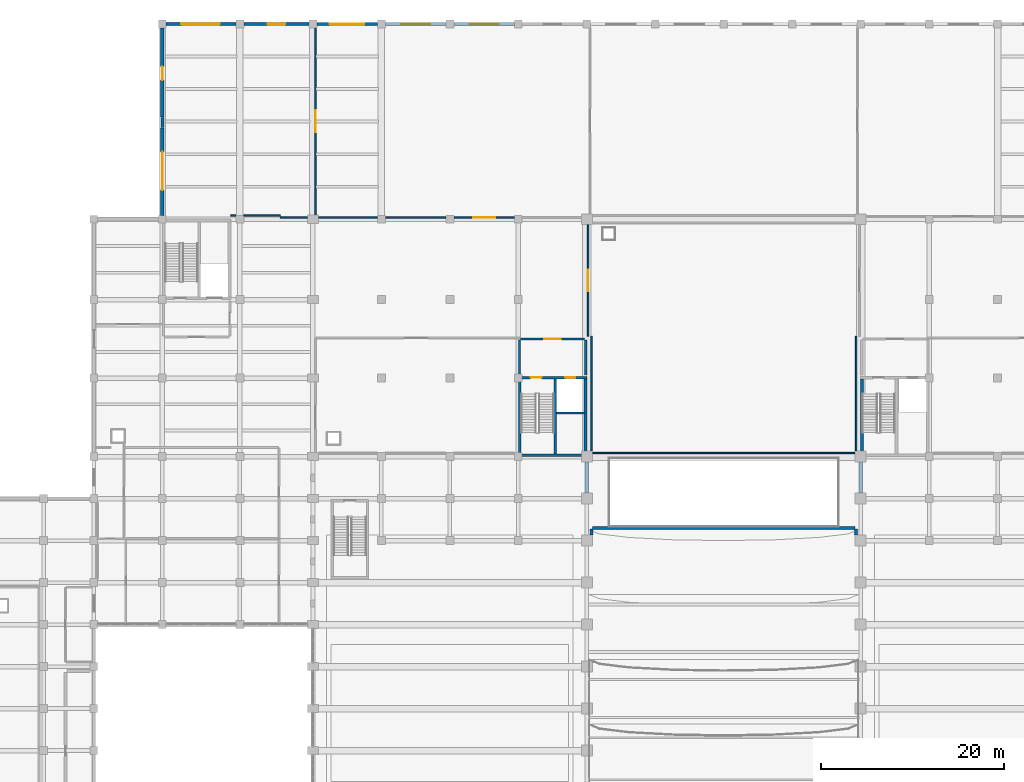
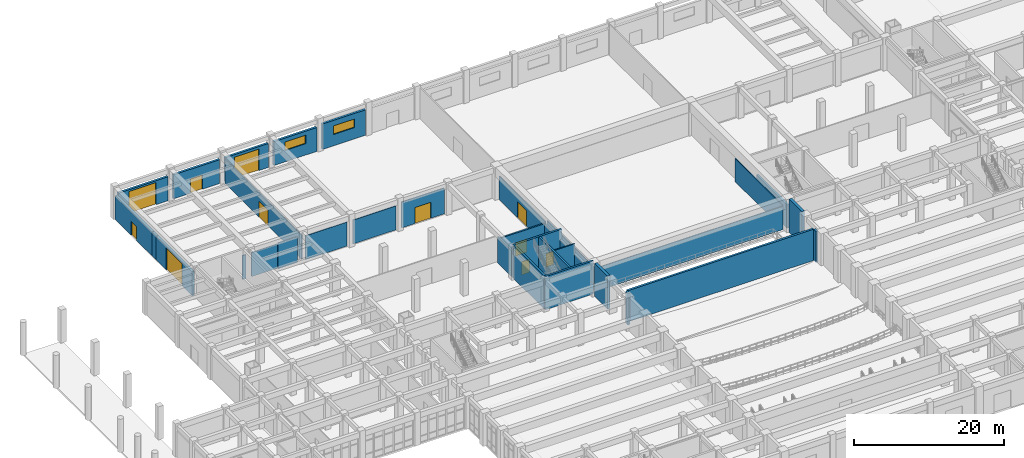
# One storey, part 66 of 84: 34 walls, 11 doors, 2 windows, 13 openings.
"""IFC4 building model written with IfcOpenShell, lengths in metres."""

from ifc_helpers import new_model, si_unit, direction, frame, frame_2d, origin, place, context, subcontext, project, spatial, rectangle, extrude, material, layer, layer_set, type_object, element, fill, save


model = new_model("IFC4")

# Units and contexts
model_context = context("Model", 3, precision=1e-05, world=origin(), true_north=direction((0.0, 1.0)))
body_context = subcontext(model_context, "Body", "Model", "MODEL_VIEW")
ifc_project = project(units=[si_unit("LENGTHUNIT", "METRE"), si_unit("AREAUNIT", "SQUARE_METRE"), si_unit("VOLUMEUNIT", "CUBIC_METRE"), si_unit("PLANEANGLEUNIT", "RADIAN"), si_unit("MASSUNIT", "GRAM", prefix="KILO")], contexts=[model_context])

# Site, building, storey
site_placement = place(None, origin())
site = spatial("IfcSite", under=ifc_project, at=site_placement, CompositionType="ELEMENT")
building_placement = place(site_placement, origin())
building = spatial("IfcBuilding", under=site, at=building_placement, Name="Muzn Square Opera House", CompositionType="ELEMENT")
storey_placement = place(building_placement, origin())
storey = spatial("IfcBuildingStorey", under=building, at=storey_placement, Name="L00", CompositionType="ELEMENT", Elevation=0.0)

# Walls
ifc_material_1 = material(Name="Acoustic gypsum stud partition", Category="gypsum")
ifc_layer_1 = layer(ifc_material_1, 0.320068359375, Name="Acoustic gypsum stud partition", Category="gypsum")
ifc_layer_set_1 = layer_set([ifc_layer_1], Name="Acoustic gypsum stud partition")
wall_type_1 = type_object("IfcWallType", Name="Acoustic Studio Double Wall 320mm", PredefinedType="PARTITIONING", material=ifc_layer_set_1)
wall_1_placement = place(storey_placement, frame((73.64501953125, 64.800048828125, 0.0), z_axis=(0.0, 0.0, 1.0), x_axis=(1.0, 0.0, 0.0)))
element("IfcWall", 1, at=wall_1_placement, inside=storey, type_object=wall_type_1, Name="Room Enclosure Partition PW-L00-0096", PredefinedType="PARTITIONING", context=body_context, shape_type="SweptSolid", body=[
    extrude(rectangle(XDim=28.7099609375, YDim=0.320068359375, at=frame_2d((14.35498046875, 0.0))), origin(), (0.0, 0.0, 1.0), 5.10009765625),
])
for number, where, z_axis, x_axis, name in (
    (2, (73.5, 64.02001953125, 0.0), (0.0, 0.0, 1.0), (0.0, 1.0, 0.0), "Room Enclosure Partition PW-L00-0097"),
    (3, (102.5, 64.02001953125, 0.0), (0.0, 0.0, 1.0), (0.0, 1.0, 0.0), "Room Enclosure Partition PW-L00-0098"),
):
    element("IfcWall", number, at=place(storey_placement, frame(where, z_axis=z_axis, x_axis=x_axis)), inside=storey, type_object=wall_type_1, Name=name, PredefinedType="PARTITIONING", context=body_context, shape_type="SweptSolid", body=[
        extrude(rectangle(XDim=0.635009765625, YDim=0.320068359375, at=frame_2d((0.3173828125, 0.0))), origin(), (0.0, 0.0, 1.0), 5.10009765625),
    ])
ifc_material_2 = material(Name="Concrete C45/55", Category="concrete")
ifc_layer_2 = layer(ifc_material_2, 0.419921875, Name="Concrete C45/55", Category="concrete")
ifc_layer_set_2 = layer_set([ifc_layer_2], Name="Concrete C45/55")
wall_type_2 = type_object("IfcWallType", Name="Auditorium Acoustic Shear Wall 420mm", PredefinedType="SHEAR", material=ifc_layer_set_2)
for number, where, z_axis, x_axis, name in (
    (4, (73.0, 68.590087890625, 0.0), (0.0, 0.0, 1.0), (0.0, 1.0, 0.0), "Auditorium Acoustic Shear Wall AUDW-L00-W10"),
    (5, (103.0, 68.590087890625, 0.0), (0.0, 0.0, 1.0), (0.0, 1.0, 0.0), "Auditorium Acoustic Shear Wall AUDW-L00-E10"),
):
    element("IfcWall", number, at=place(storey_placement, frame(where, z_axis=z_axis, x_axis=x_axis)), inside=storey, type_object=wall_type_2, Name=name, PredefinedType="SHEAR", context=body_context, shape_type="SweptSolid", body=[
        extrude(rectangle(XDim=3.419921875, YDim=0.419921875, at=frame_2d((1.7099609375, 0.0))), origin(), (0.0, 0.0, 1.0), 5.39990234375),
    ])
ifc_layer_3 = layer(ifc_material_2, 0.300048828125, Name="Concrete C45/55", Category="concrete")
ifc_layer_set_3 = layer_set([ifc_layer_3], Name="Concrete C45/55")
wall_type_3 = type_object("IfcWallType", Name="Core Shear Wall 300mm", PredefinedType="SHEAR", material=ifc_layer_set_3)
wall_2_placement = place(storey_placement, frame((65.5, 72.75, 0.0), z_axis=(0.0, 0.0, 1.0), x_axis=(1.0, 0.0, 0.0)))
element("IfcWall", 6, at=wall_2_placement, inside=storey, type_object=wall_type_3, Name="Core C1 Shear Wall SW-C1-L00-S", PredefinedType="SHEAR", context=body_context, shape_type="SweptSolid", body=[
    extrude(rectangle(XDim=7.5, YDim=0.300048828125, at=frame_2d((3.75, 0.0))), origin(), (0.0, 0.0, 1.0), 5.39990234375),
])
wall_3_placement = place(storey_placement, frame((65.64990234375, 72.89990234375, 0.0), z_axis=(0.0, 0.0, 1.0), x_axis=(0.0, 1.0, 0.0)))
element("IfcWall", 7, at=wall_3_placement, inside=storey, type_object=wall_type_3, Name="Core C1 Shear Wall SW-C1-L00-W", PredefinedType="SHEAR", context=body_context, shape_type="SweptSolid", body=[
    extrude(rectangle(XDim=8.2001953125, YDim=0.300048828125, at=frame_2d((4.10009765625, 0.0))), origin(), (0.0, 0.0, 1.0), 5.39990234375),
])
wall_4_placement = place(storey_placement, frame((72.85009765625, 72.89990234375, 0.0), z_axis=(0.0, 0.0, 1.0), x_axis=(0.0, 1.0, 0.0)))
element("IfcWall", 8, at=wall_4_placement, inside=storey, type_object=wall_type_3, Name="Core C1 Shear Wall SW-C1-L00-E", PredefinedType="SHEAR", context=body_context, shape_type="SweptSolid", body=[
    extrude(rectangle(XDim=8.2001953125, YDim=0.300048828125, at=frame_2d((4.10009765625, 0.0))), origin(), (0.0, 0.0, 1.0), 3.800048828125),
])
wall_5_placement = place(storey_placement, frame((69.550048828125, 72.89990234375, 0.0), z_axis=(0.0, 0.0, 1.0), x_axis=(0.0, 1.0, 0.0)))
element("IfcWall", 9, at=wall_5_placement, inside=storey, type_object=wall_type_3, Name="Core C1 Shear Wall SW-C1-L00-DIV", PredefinedType="SHEAR", context=body_context, shape_type="SweptSolid", body=[
    extrude(rectangle(XDim=8.2001953125, YDim=0.300048828125, at=frame_2d((4.10009765625, 0.0))), origin(), (0.0, 0.0, 1.0), 5.39990234375),
])
wall_6_placement = place(storey_placement, frame((103.14990234375, 72.89990234375, 0.0), z_axis=(0.0, 0.0, 1.0), x_axis=(0.0, 1.0, 0.0)))
element("IfcWall", 10, at=wall_6_placement, inside=storey, type_object=wall_type_3, Name="Core C2 Shear Wall SW-C2-L00-W", PredefinedType="SHEAR", context=body_context, shape_type="SweptSolid", body=[
    extrude(rectangle(XDim=8.2001953125, YDim=0.300048828125, at=frame_2d((4.10009765625, 0.0))), origin(), (0.0, 0.0, 1.0), 3.800048828125),
])

# Wall, openings, doors
wall_7_placement = place(storey_placement, frame((65.5, 81.25, 0.0), z_axis=(0.0, 0.0, 1.0), x_axis=(1.0, 0.0, 0.0)))
wall_7 = element("IfcWall", 11, at=wall_7_placement, inside=storey, type_object=wall_type_3, Name="Core C1 Front Shear Wall L00", PredefinedType="SHEAR", context=body_context, shape_type="SweptSolid", body=[
    extrude(rectangle(XDim=7.5, YDim=0.300048828125, at=frame_2d((3.75, 0.0))), origin(), (0.0, 0.0, 1.0), 5.39990234375),
])
opening_1_placement = place(wall_7_placement, frame((1.35009765625, 0.0, 0.0)))
opening_1 = element("IfcOpeningElement", 12, at=opening_1_placement, cuts=wall_7, Name="Opening DR-ST12", PredefinedType="OPENING", context=body_context, shape_type="SweptSolid", body=[
    extrude(rectangle(XDim=1.199951171875, YDim=2.14990234375, at=frame_2d((0.60009765625, 1.074951171875))), frame((0.0, 0.159912109375, 0.0), z_axis=(0.0, -1.0, 0.0), x_axis=(1.0, 0.0, 0.0)), (0.0, 0.0, 1.0), 0.320068359375),
])
opening_2_placement = place(wall_7_placement, frame((5.14990234375, 0.0, 0.0)))
opening_2 = element("IfcOpeningElement", 13, at=opening_2_placement, cuts=wall_7, Name="Opening LD-01", PredefinedType="OPENING", context=body_context, shape_type="SweptSolid", body=[
    extrude(rectangle(XDim=1.10009765625, YDim=2.14990234375, at=frame_2d((0.550048828125, 1.074951171875))), frame((0.0, 0.159912109375, 0.0), z_axis=(0.0, -1.0, 0.0), x_axis=(1.0, 0.0, 0.0)), (0.0, 0.0, 1.0), 0.320068359375),
])
ifc_material_3 = material(Name="Galvanised painted steel leaf", Category="metal")
door_type_1 = type_object("IfcDoorType", Name="Core Stair Fire Door 1200x2150", OperationType="NOTDEFINED", PredefinedType="DOOR", material=ifc_material_3)
door_1_placement = place(opening_1_placement, origin())
door_1 = element("IfcDoor", 14, at=door_1_placement, inside=storey, type_object=door_type_1, Name="Core C1 Stair Door L00", OperationType="SINGLE_SWING_RIGHT", OverallHeight=2.14990234375, OverallWidth=1.199951171875, PredefinedType="DOOR", context=body_context, shape_type="SweptSolid", body=[
    extrude(rectangle(XDim=1.199951171875, YDim=2.14990234375, at=frame_2d((0.60009765625, 1.074951171875))), frame((0.0, 0.02490234375, 0.0), z_axis=(0.0, -1.0, 0.0), x_axis=(1.0, 0.0, 0.0)), (0.0, 0.0, 1.0), 0.050048828125),
])
fill(opening_1, door_1)
ifc_material_4 = material(Name="Brushed stainless steel", Category="metal")
door_type_2 = type_object("IfcDoorType", Name="Lift Landing Sliding Door 1100x2150", OperationType="SLIDING_TO_LEFT", PredefinedType="DOOR", material=ifc_material_4)
door_2_placement = place(opening_2_placement, origin())
door_2 = element("IfcDoor", 15, at=door_2_placement, inside=storey, type_object=door_type_2, Name="Lift FFL-1 Sliding Landing Door L00", OperationType="SLIDING_TO_LEFT", OverallHeight=2.14990234375, OverallWidth=1.10009765625, PredefinedType="DOOR", context=body_context, shape_type="SweptSolid", body=[
    extrude(rectangle(XDim=1.10009765625, YDim=2.14990234375, at=frame_2d((0.550048828125, 1.074951171875))), frame((0.0, 0.02490234375, 0.0), z_axis=(0.0, -1.0, 0.0), x_axis=(1.0, 0.0, 0.0)), (0.0, 0.0, 1.0), 0.050048828125),
])
fill(opening_2, door_2)

# Wall, opening, door
ifc_material_5 = material(Name="Concrete C40/50", Category="concrete")
ifc_layer_4 = layer(ifc_material_5, 0.340087890625, Name="Concrete C40/50", Category="concrete")
ifc_layer_set_4 = layer_set([ifc_layer_4], Name="Concrete C40/50")
wall_type_4 = type_object("IfcWallType", Name="Exterior Insulated Spandrel Wall 340mm", PredefinedType="SOLIDWALL", material=ifc_layer_set_4)
wall_8_placement = place(storey_placement, frame((26.925048828125, 120.0, 0.0), z_axis=(0.0, 0.0, 1.0), x_axis=(1.0, 0.0, 0.0)))
wall_8 = element("IfcWall", 16, at=wall_8_placement, inside=storey, type_object=wall_type_4, Name="Exterior Facade Wall EW-L00-029", PredefinedType="SOLIDWALL", context=body_context, shape_type="SweptSolid", body=[
    extrude(rectangle(XDim=7.64990234375, YDim=0.340087890625, at=frame_2d((3.824951171875, 0.0))), origin(), (0.0, 0.0, 1.0), 3.89990234375),
])
opening_3_placement = place(wall_8_placement, frame((1.655029296875, 0.0, 0.0)))
opening_3 = element("IfcOpeningElement", 17, at=opening_3_placement, cuts=wall_8, Name="Opening DR-SH42", PredefinedType="OPENING", context=body_context, shape_type="SweptSolid", body=[
    extrude(rectangle(XDim=4.199951171875, YDim=3.60009765625, at=frame_2d((2.10009765625, 1.800048828125))), frame((0.0, 0.179931640625, 0.0), z_axis=(0.0, -1.0, 0.0), x_axis=(1.0, 0.0, 0.0)), (0.0, 0.0, 1.0), 0.360107421875),
])
door_type_3 = type_object("IfcDoorType", Name="Loading Dock Roller Shutter 4200x3600", OperationType="ROLLINGUP", PredefinedType="DOOR", material=ifc_material_3)
door_3_placement = place(opening_3_placement, origin())
door_3 = element("IfcDoor", 18, at=door_3_placement, inside=storey, type_object=door_type_3, Name="Loading Dock Roller Shutter SH-01", OperationType="ROLLINGUP", OverallHeight=3.60009765625, OverallWidth=4.199951171875, PredefinedType="DOOR", context=body_context, shape_type="SweptSolid", body=[
    extrude(rectangle(XDim=4.199951171875, YDim=3.60009765625, at=frame_2d((2.10009765625, 1.800048828125))), frame((0.0, 0.02490234375, 0.0), z_axis=(0.0, -1.0, 0.0), x_axis=(1.0, 0.0, 0.0)), (0.0, 0.0, 1.0), 0.050048828125),
])
fill(opening_3, door_3)

wall_9_placement = place(storey_placement, frame((35.425048828125, 120.0, 0.0), z_axis=(0.0, 0.0, 1.0), x_axis=(1.0, 0.0, 0.0)))
wall_9 = element("IfcWall", 19, at=wall_9_placement, inside=storey, type_object=wall_type_4, Name="Exterior Facade Wall EW-L00-030", PredefinedType="SOLIDWALL", context=body_context, shape_type="SweptSolid", body=[
    extrude(rectangle(XDim=7.14990234375, YDim=0.340087890625, at=frame_2d((3.574951171875, 0.0))), origin(), (0.0, 0.0, 1.0), 3.89990234375),
])
opening_4_placement = place(wall_9_placement, frame((2.625, 0.0, 0.0)))
opening_4 = element("IfcOpeningElement", 20, at=opening_4_placement, cuts=wall_9, Name="Opening DR-EX19", PredefinedType="OPENING", context=body_context, shape_type="SweptSolid", body=[
    extrude(rectangle(XDim=1.89990234375, YDim=2.35009765625, at=frame_2d((0.949951171875, 1.175048828125))), frame((0.0, 0.179931640625, 0.0), z_axis=(0.0, -1.0, 0.0), x_axis=(1.0, 0.0, 0.0)), (0.0, 0.0, 1.0), 0.360107421875),
])
ifc_material_6 = material(Name="Anodised bronze aluminium", Category="metal")
door_type_4 = type_object("IfcDoorType", Name="Pedestrian Final Exit Door 1900x2350", OperationType="DOUBLE_DOOR_SINGLE_SWING", PredefinedType="DOOR", material=ifc_material_6)
door_4_placement = place(opening_4_placement, origin())
door_4 = element("IfcDoor", 21, at=door_4_placement, inside=storey, type_object=door_type_4, Name="North Backstage Pedestrian Final Exit Door E-N01", OperationType="DOUBLE_DOOR_SINGLE_SWING", OverallHeight=2.35009765625, OverallWidth=1.89990234375, PredefinedType="DOOR", context=body_context, shape_type="SweptSolid", body=[
    extrude(rectangle(XDim=1.89990234375, YDim=2.35009765625, at=frame_2d((0.949951171875, 1.175048828125))), frame((0.0, 0.02490234375, 0.0), z_axis=(0.0, -1.0, 0.0), x_axis=(1.0, 0.0, 0.0)), (0.0, 0.0, 1.0), 0.050048828125),
])
fill(opening_4, door_4)

wall_10_placement = place(storey_placement, frame((43.425048828125, 120.0, 0.0), z_axis=(0.0, 0.0, 1.0), x_axis=(1.0, 0.0, 0.0)))
wall_10 = element("IfcWall", 22, at=wall_10_placement, inside=storey, type_object=wall_type_4, Name="Exterior Facade Wall EW-L00-031", PredefinedType="SOLIDWALL", context=body_context, shape_type="SweptSolid", body=[
    extrude(rectangle(XDim=6.64990234375, YDim=0.340087890625, at=frame_2d((3.324951171875, 0.0))), origin(), (0.0, 0.0, 1.0), 3.89990234375),
])
opening_5_placement = place(wall_10_placement, frame((1.405029296875, 0.0, 0.0)))
opening_5 = element("IfcOpeningElement", 23, at=opening_5_placement, cuts=wall_10, Name="Opening DR-SH38", PredefinedType="OPENING", context=body_context, shape_type="SweptSolid", body=[
    extrude(rectangle(XDim=3.800048828125, YDim=3.5, at=frame_2d((1.89990234375, 1.75))), frame((0.0, 0.179931640625, 0.0), z_axis=(0.0, -1.0, 0.0), x_axis=(1.0, 0.0, 0.0)), (0.0, 0.0, 1.0), 0.360107421875),
])
door_type_5 = type_object("IfcDoorType", Name="Scenery Bay Roller Shutter 3800x3500", OperationType="ROLLINGUP", PredefinedType="DOOR", material=ifc_material_3)
door_5_placement = place(opening_5_placement, origin())
door_5 = element("IfcDoor", 24, at=door_5_placement, inside=storey, type_object=door_type_5, Name="Scenery Workshop Roller Shutter SH-02", OperationType="ROLLINGUP", OverallHeight=3.5, OverallWidth=3.800048828125, PredefinedType="DOOR", context=body_context, shape_type="SweptSolid", body=[
    extrude(rectangle(XDim=3.800048828125, YDim=3.5, at=frame_2d((1.89990234375, 1.75))), frame((0.0, 0.02490234375, 0.0), z_axis=(0.0, -1.0, 0.0), x_axis=(1.0, 0.0, 0.0)), (0.0, 0.0, 1.0), 0.050048828125),
])
fill(opening_5, door_5)

# Wall, opening, window
wall_11_placement = place(storey_placement, frame((50.925048828125, 120.0, 0.0), z_axis=(0.0, 0.0, 1.0), x_axis=(1.0, 0.0, 0.0)))
wall_11 = element("IfcWall", 25, at=wall_11_placement, inside=storey, type_object=wall_type_4, Name="Exterior Facade Wall EW-L00-032", PredefinedType="SOLIDWALL", context=body_context, shape_type="SweptSolid", body=[
    extrude(rectangle(XDim=6.64990234375, YDim=0.340087890625, at=frame_2d((3.324951171875, 0.0))), origin(), (0.0, 0.0, 1.0), 3.89990234375),
])
opening_6_placement = place(wall_11_placement, frame((1.72509765625, 0.0, 1.85009765625)))
opening_6 = element("IfcOpeningElement", 26, at=opening_6_placement, cuts=wall_11, Name="Opening WN-S3214", PredefinedType="OPENING", context=body_context, shape_type="SweptSolid", body=[
    extrude(rectangle(XDim=3.199951171875, YDim=1.39990234375, at=frame_2d((1.60009765625, 0.699951171875))), frame((0.0, 0.179931640625, 0.0), z_axis=(0.0, -1.0, 0.0), x_axis=(1.0, 0.0, 0.0)), (0.0, 0.0, 1.0), 0.360107421875),
])
ifc_material_7 = material(Name="Low-E laminated acoustic double glazing", Category="glass")
window_type = type_object("IfcWindowType", Name="Scenery Clerestory Window 3200x1400", PartitioningType="TRIPLE_PANEL_VERTICAL", PredefinedType="WINDOW", material=ifc_material_7)
window_1_placement = place(opening_6_placement, origin())
window_1 = element("IfcWindow", 27, at=window_1_placement, inside=storey, type_object=window_type, Name="Scenery Clerestory Window 3200x1400 EW-L00-032-WN01", OverallHeight=1.39990234375, OverallWidth=3.199951171875, PartitioningType="SINGLE_PANEL", PredefinedType="WINDOW", context=body_context, shape_type="SweptSolid", body=[
    extrude(rectangle(XDim=3.199951171875, YDim=1.39990234375, at=frame_2d((1.60009765625, 0.699951171875))), frame((0.0, 0.030029296875, 0.0), z_axis=(0.0, -1.0, 0.0), x_axis=(1.0, 0.0, 0.0)), (0.0, 0.0, 1.0), 0.06005859375),
])
fill(opening_6, window_1)

wall_12_placement = place(storey_placement, frame((58.425048828125, 120.0, 0.0), z_axis=(0.0, 0.0, 1.0), x_axis=(1.0, 0.0, 0.0)))
wall_12 = element("IfcWall", 28, at=wall_12_placement, inside=storey, type_object=wall_type_4, Name="Exterior Facade Wall EW-L00-033", PredefinedType="SOLIDWALL", context=body_context, shape_type="SweptSolid", body=[
    extrude(rectangle(XDim=6.64990234375, YDim=0.340087890625, at=frame_2d((3.324951171875, 0.0))), origin(), (0.0, 0.0, 1.0), 4.14990234375),
])
opening_7_placement = place(wall_12_placement, frame((1.72509765625, 0.0, 1.85009765625)))
opening_7 = element("IfcOpeningElement", 29, at=opening_7_placement, cuts=wall_12, Name="Opening WN-S3214", PredefinedType="OPENING", context=body_context, shape_type="SweptSolid", body=[
    extrude(rectangle(XDim=3.199951171875, YDim=1.39990234375, at=frame_2d((1.60009765625, 0.699951171875))), frame((0.0, 0.179931640625, 0.0), z_axis=(0.0, -1.0, 0.0), x_axis=(1.0, 0.0, 0.0)), (0.0, 0.0, 1.0), 0.360107421875),
])
window_2_placement = place(opening_7_placement, origin())
window_2 = element("IfcWindow", 30, at=window_2_placement, inside=storey, type_object=window_type, Name="Scenery Clerestory Window 3200x1400 EW-L00-033-WN01", OverallHeight=1.39990234375, OverallWidth=3.199951171875, PartitioningType="SINGLE_PANEL", PredefinedType="WINDOW", context=body_context, shape_type="SweptSolid", body=[
    extrude(rectangle(XDim=3.199951171875, YDim=1.39990234375, at=frame_2d((1.60009765625, 0.699951171875))), frame((0.0, 0.030029296875, 0.0), z_axis=(0.0, -1.0, 0.0), x_axis=(1.0, 0.0, 0.0)), (0.0, 0.0, 1.0), 0.06005859375),
])
fill(opening_7, window_2)

# Wall
wall_13_placement = place(storey_placement, frame((26.5, 108.639892578125, 0.0), z_axis=(0.0, 0.0, 1.0), x_axis=(0.0, 1.0, 0.0)))
element("IfcWall", 31, at=wall_13_placement, inside=storey, type_object=wall_type_4, Name="Exterior Facade Wall EW-L00-116", PredefinedType="SOLIDWALL", context=body_context, shape_type="SweptSolid", body=[
    extrude(rectangle(XDim=1.1201171875, YDim=0.340087890625, at=frame_2d((0.56005859375, 0.0))), origin(), (0.0, 0.0, 1.0), 3.89990234375),
])

# Wall, opening, door
ifc_layer_5 = layer(ifc_material_5, 0.3798828125, Name="Concrete C40/50", Category="concrete")
ifc_layer_set_5 = layer_set([ifc_layer_5], Name="Concrete C40/50")
wall_type_5 = type_object("IfcWallType", Name="Exterior Limestone Wall 380mm", PredefinedType="SOLIDWALL", material=ifc_layer_set_5)
wall_14_placement = place(storey_placement, frame((26.5, 99.02490234375, 0.0), z_axis=(0.0, 0.0, 1.0), x_axis=(0.0, 1.0, 0.0)))
wall_14 = element("IfcWall", 32, at=wall_14_placement, inside=storey, type_object=wall_type_5, Name="Exterior Facade Wall EW-L00-071", PredefinedType="SOLIDWALL", context=body_context, shape_type="SweptSolid", body=[
    extrude(rectangle(XDim=9.59521484375, YDim=0.3798828125, at=frame_2d((4.797607421875, 0.0))), origin(), (0.0, 0.0, 1.0), 3.89990234375),
])
opening_8_placement = place(wall_14_placement, frame((2.7548828125, 0.0, 0.0)))
opening_8 = element("IfcOpeningElement", 33, at=opening_8_placement, cuts=wall_14, Name="Opening DR-SH42", PredefinedType="OPENING", context=body_context, shape_type="SweptSolid", body=[
    extrude(rectangle(XDim=4.199951171875, YDim=3.60009765625, at=frame_2d((2.10009765625, 1.800048828125))), frame((0.0, 0.199951171875, 0.0), z_axis=(0.0, -1.0, 0.0), x_axis=(1.0, 0.0, 0.0)), (0.0, 0.0, 1.0), 0.39990234375),
])
door_6_placement = place(opening_8_placement, origin())
door_6 = element("IfcDoor", 34, at=door_6_placement, inside=storey, type_object=door_type_3, Name="Loading Dock Roller Shutter SH-03", OperationType="ROLLINGUP", OverallHeight=3.60009765625, OverallWidth=4.199951171875, PredefinedType="DOOR", context=body_context, shape_type="SweptSolid", body=[
    extrude(rectangle(XDim=4.199951171875, YDim=3.60009765625, at=frame_2d((2.10009765625, 1.800048828125))), frame((0.0, 0.02490234375, 0.0), z_axis=(0.0, -1.0, 0.0), x_axis=(1.0, 0.0, 0.0)), (0.0, 0.0, 1.0), 0.050048828125),
])
fill(opening_8, door_6)

wall_15_placement = place(storey_placement, frame((26.5, 109.780029296875, 0.0), z_axis=(0.0, 0.0, 1.0), x_axis=(0.0, 1.0, 0.0)))
wall_15 = element("IfcWall", 35, at=wall_15_placement, inside=storey, type_object=wall_type_5, Name="Exterior Facade Wall EW-L00-072", PredefinedType="SOLIDWALL", context=body_context, shape_type="SweptSolid", body=[
    extrude(rectangle(XDim=9.794921875, YDim=0.3798828125, at=frame_2d((4.8974609375, 0.0))), origin(), (0.0, 0.0, 1.0), 3.89990234375),
])
opening_9_placement = place(wall_15_placement, frame((4.050048828125, 0.0, 0.0)))
opening_9 = element("IfcOpeningElement", 36, at=opening_9_placement, cuts=wall_15, Name="Opening DR-EX15", PredefinedType="OPENING", context=body_context, shape_type="SweptSolid", body=[
    extrude(rectangle(XDim=1.5, YDim=2.25, at=frame_2d((0.75, 1.125))), frame((0.0, 0.199951171875, 0.0), z_axis=(0.0, -1.0, 0.0), x_axis=(1.0, 0.0, 0.0)), (0.0, 0.0, 1.0), 0.39990234375),
])
door_type_6 = type_object("IfcDoorType", Name="Backstage Pedestrian Exit Door 1500x2250", OperationType="NOTDEFINED", PredefinedType="DOOR", material=ifc_material_6)
door_7_placement = place(opening_9_placement, origin())
door_7 = element("IfcDoor", 37, at=door_7_placement, inside=storey, type_object=door_type_6, Name="Service Yard Pedestrian Exit Door E-YD01", OperationType="SINGLE_SWING_RIGHT", OverallHeight=2.25, OverallWidth=1.5, PredefinedType="DOOR", context=body_context, shape_type="SweptSolid", body=[
    extrude(rectangle(XDim=1.5, YDim=2.25, at=frame_2d((0.75, 1.125))), frame((0.0, 0.02490234375, 0.0), z_axis=(0.0, -1.0, 0.0), x_axis=(1.0, 0.0, 0.0)), (0.0, 0.0, 1.0), 0.050048828125),
])
fill(opening_9, door_7)

ifc_layer_6 = layer(ifc_material_5, 0.239990234375, Name="Concrete C40/50", Category="concrete")
ifc_layer_set_6 = layer_set([ifc_layer_6], Name="Concrete C40/50")
wall_type_6 = type_object("IfcWallType", Name="Firefighting Lobby Wall 240mm", PredefinedType="SOLIDWALL", material=ifc_layer_set_6)
wall_16_placement = place(storey_placement, frame((65.739990234375, 85.47998046875, 0.0), z_axis=(0.0, 0.0, 1.0), x_axis=(1.0, 0.0, 0.0)))
wall_16 = element("IfcWall", 38, at=wall_16_placement, inside=storey, type_object=wall_type_6, Name="Lobby C1 Enclosure Wall L00", PredefinedType="SOLIDWALL", context=body_context, shape_type="SweptSolid", body=[
    extrude(rectangle(XDim=7.02001953125, YDim=0.239990234375, at=frame_2d((3.510009765625, 0.0))), origin(), (0.0, 0.0, 1.0), 3.780029296875),
])
opening_10_placement = place(wall_16_placement, frame((2.610107421875, 0.0, 0.0)))
opening_10 = element("IfcOpeningElement", 39, at=opening_10_placement, cuts=wall_16, Name="Opening DR-FL18", PredefinedType="OPENING", context=body_context, shape_type="SweptSolid", body=[
    extrude(rectangle(XDim=1.800048828125, YDim=2.179931640625, at=frame_2d((0.89990234375, 1.08984375))), frame((0.0, 0.1298828125, 0.0), z_axis=(0.0, -1.0, 0.0), x_axis=(1.0, 0.0, 0.0)), (0.0, 0.0, 1.0), 0.260009765625),
])
door_type_7 = type_object("IfcDoorType", Name="Firefighting Lobby Double Door 1800x2180", OperationType="DOUBLE_DOOR_SINGLE_SWING", PredefinedType="DOOR", material=ifc_material_3)
door_8_placement = place(opening_10_placement, origin())
door_8 = element("IfcDoor", 40, at=door_8_placement, inside=storey, type_object=door_type_7, Name="Lobby C1 Fire Door L00", OperationType="DOUBLE_DOOR_SINGLE_SWING", OverallHeight=2.179931640625, OverallWidth=1.800048828125, PredefinedType="DOOR", context=body_context, shape_type="SweptSolid", body=[
    extrude(rectangle(XDim=1.800048828125, YDim=2.179931640625, at=frame_2d((0.89990234375, 1.08984375))), frame((0.0, 0.02490234375, 0.0), z_axis=(0.0, -1.0, 0.0), x_axis=(1.0, 0.0, 0.0)), (0.0, 0.0, 1.0), 0.050048828125),
])
fill(opening_10, door_8)

# Walls
wall_17_placement = place(storey_placement, frame((65.6201171875, 81.550048828125, 0.0), z_axis=(0.0, 0.0, 1.0), x_axis=(0.0, 1.0, 0.0)))
element("IfcWall", 41, at=wall_17_placement, inside=storey, type_object=wall_type_6, Name="Lobby C1 Side Wall W L00", PredefinedType="SOLIDWALL", context=body_context, shape_type="SweptSolid", body=[
    extrude(rectangle(XDim=3.81005859375, YDim=0.239990234375, at=frame_2d((1.905029296875, 0.0))), origin(), (0.0, 0.0, 1.0), 4.199951171875),
])
wall_18_placement = place(storey_placement, frame((72.8798828125, 81.550048828125, 0.0), z_axis=(0.0, 0.0, 1.0), x_axis=(0.0, 1.0, 0.0)))
element("IfcWall", 42, at=wall_18_placement, inside=storey, type_object=wall_type_6, Name="Lobby C1 Side Wall E L00", PredefinedType="SOLIDWALL", context=body_context, shape_type="SweptSolid", body=[
    extrude(rectangle(XDim=3.81005859375, YDim=0.239990234375, at=frame_2d((1.905029296875, 0.0))), origin(), (0.0, 0.0, 1.0), 3.780029296875),
])
ifc_layer_7 = layer(ifc_material_5, 0.219970703125, Name="Concrete C40/50", Category="concrete")
ifc_layer_set_7 = layer_set([ifc_layer_7], Name="Concrete C40/50")
wall_type_7 = type_object("IfcWallType", Name="Lift Lobby Wall 220mm", PredefinedType="SOLIDWALL", material=ifc_layer_set_7)
wall_19_placement = place(storey_placement, frame((69.699951171875, 77.3798828125, 0.0), z_axis=(0.0, 0.0, 1.0), x_axis=(1.0, 0.0, 0.0)))
element("IfcWall", 43, at=wall_19_placement, inside=storey, type_object=wall_type_7, Name="Core C1 Lift Shaft South Wall L00", PredefinedType="SOLIDWALL", context=body_context, shape_type="SweptSolid", body=[
    extrude(rectangle(XDim=3.1201171875, YDim=0.219970703125, at=frame_2d((1.56005859375, 0.0))), origin(), (0.0, 0.0, 1.0), 5.39990234375),
])

# Wall, opening, door
ifc_layer_8 = layer(ifc_material_1, 0.14990234375, Name="Acoustic gypsum stud partition", Category="gypsum")
ifc_layer_set_8 = layer_set([ifc_layer_8], Name="Acoustic gypsum stud partition")
wall_type_8 = type_object("IfcWallType", Name="Office Acoustic Partition 150mm", PredefinedType="PARTITIONING", material=ifc_layer_set_8)
wall_20_placement = place(storey_placement, frame((73.14990234375, 85.800048828125, 0.0), z_axis=(0.0, 0.0, 1.0), x_axis=(0.0, 1.0, 0.0)))
wall_20 = element("IfcWall", 44, at=wall_20_placement, inside=storey, type_object=wall_type_8, Name="Interior Partition PW-L00-0039", PredefinedType="PARTITIONING", context=body_context, shape_type="SweptSolid", body=[
    extrude(rectangle(XDim=12.179931640625, YDim=0.14990234375, at=frame_2d((6.08984375, 0.0))), origin(), (0.0, 0.0, 1.0), 3.780029296875),
])
opening_11_placement = place(wall_20_placement, frame((4.889892578125, 0.0, 0.0)))
opening_11 = element("IfcOpeningElement", 45, at=opening_11_placement, cuts=wall_20, Name="Opening DR-SC24", PredefinedType="OPENING", context=body_context, shape_type="SweptSolid", body=[
    extrude(rectangle(XDim=2.39990234375, YDim=2.60009765625, at=frame_2d((1.199951171875, 1.300048828125))), frame((0.0, 0.0849609375, 0.0), z_axis=(0.0, -1.0, 0.0), x_axis=(1.0, 0.0, 0.0)), (0.0, 0.0, 1.0), 0.169921875),
])
door_type_8 = type_object("IfcDoorType", Name="Stage Scenery Double Door 2400x2600", OperationType="DOUBLE_DOOR_SINGLE_SWING", PredefinedType="DOOR", material=ifc_material_3)
door_9_placement = place(opening_11_placement, origin())
door_9 = element("IfcDoor", 46, at=door_9_placement, inside=storey, type_object=door_type_8, Name="Main Stage Door DR-L00-0013", OperationType="DOUBLE_DOOR_SINGLE_SWING", OverallHeight=2.60009765625, OverallWidth=2.39990234375, PredefinedType="DOOR", context=body_context, shape_type="SweptSolid", body=[
    extrude(rectangle(XDim=2.39990234375, YDim=2.60009765625, at=frame_2d((1.199951171875, 1.300048828125))), frame((0.0, 0.02490234375, 0.0), z_axis=(0.0, -1.0, 0.0), x_axis=(1.0, 0.0, 0.0)), (0.0, 0.0, 1.0), 0.050048828125),
])
fill(opening_11, door_9)

# Walls
wall_21_placement = place(storey_placement, frame((39.39990234375, 98.800048828125, 0.0), z_axis=(0.0, 0.0, 1.0), x_axis=(1.0, 0.0, 0.0)))
element("IfcWall", 47, at=wall_21_placement, inside=storey, type_object=wall_type_8, Name="Interior Partition PW-L00-0056", PredefinedType="PARTITIONING", context=body_context, shape_type="SweptSolid", body=[
    extrude(rectangle(XDim=2.97998046875, YDim=0.14990234375, at=frame_2d((1.489990234375, 0.0))), origin(), (0.0, 0.0, 1.0), 4.199951171875),
])
wall_22_placement = place(storey_placement, frame((73.6201171875, 73.0, 0.0), z_axis=(0.0, 0.0, 1.0), x_axis=(1.0, 0.0, 0.0)))
element("IfcWall", 48, at=wall_22_placement, inside=storey, type_object=wall_type_8, Name="Room Enclosure Partition PW-L00-0099", PredefinedType="PARTITIONING", context=body_context, shape_type="SweptSolid", body=[
    extrude(rectangle(XDim=28.759765625, YDim=0.14990234375, at=frame_2d((14.3798828125, 0.0))), origin(), (0.0, 0.0, 1.0), 3.780029296875),
])
for number, where, z_axis, x_axis, name in (
    (49, (73.5, 73.219970703125, 0.0), (0.0, 0.0, 1.0), (0.0, 1.0, 0.0), "Room Enclosure Partition PW-L00-0101"),
    (50, (102.5, 73.219970703125, 0.0), (0.0, 0.0, 1.0), (0.0, 1.0, 0.0), "Room Enclosure Partition PW-L00-0102"),
):
    element("IfcWall", number, at=place(storey_placement, frame(where, z_axis=z_axis, x_axis=x_axis)), inside=storey, type_object=wall_type_8, Name=name, PredefinedType="PARTITIONING", context=body_context, shape_type="SweptSolid", body=[
        extrude(rectangle(XDim=12.580078125, YDim=0.14990234375, at=frame_2d((6.2900390625, 0.0))), origin(), (0.0, 0.0, 1.0), 3.780029296875),
    ])
wall_23_placement = place(storey_placement, frame((34.0, 99.0, 0.0), z_axis=(0.0, 0.0, 1.0), x_axis=(1.0, 0.0, 0.0)))
element("IfcWall", 51, at=wall_23_placement, inside=storey, type_object=wall_type_8, Name="Room Enclosure Partition PW-L00-0113", PredefinedType="PARTITIONING", context=body_context, shape_type="SweptSolid", body=[
    extrude(rectangle(XDim=0.554931640625, YDim=0.14990234375, at=frame_2d((0.27734375, 0.0))), origin(), (0.0, 0.0, 1.0), 3.89990234375),
])
wall_24_placement = place(storey_placement, frame((35.445068359375, 99.0, 0.0), z_axis=(0.0, 0.0, 1.0), x_axis=(1.0, 0.0, 0.0)))
element("IfcWall", 52, at=wall_24_placement, inside=storey, type_object=wall_type_8, Name="Room Enclosure Partition PW-L00-0114", PredefinedType="PARTITIONING", context=body_context, shape_type="SweptSolid", body=[
    extrude(rectangle(XDim=3.954833984375, YDim=0.14990234375, at=frame_2d((1.9775390625, 0.0))), origin(), (0.0, 0.0, 1.0), 3.89990234375),
])

# Wall, opening, door
ifc_layer_9 = layer(ifc_material_1, 0.159912109375, Name="Acoustic gypsum stud partition", Category="gypsum")
ifc_layer_set_9 = layer_set([ifc_layer_9], Name="Acoustic gypsum stud partition")
wall_type_9 = type_object("IfcWallType", Name="Workshop Rated Partition 160mm", PredefinedType="PARTITIONING", material=ifc_layer_set_9)
wall_25_placement = place(storey_placement, frame((43.300048828125, 99.070068359375, 0.0), z_axis=(0.0, 0.0, 1.0), x_axis=(0.0, 1.0, 0.0)))
wall_25 = element("IfcWall", 53, at=wall_25_placement, inside=storey, type_object=wall_type_9, Name="Interior Partition PW-L00-0047", PredefinedType="PARTITIONING", context=body_context, shape_type="SweptSolid", body=[
    extrude(rectangle(XDim=20.48486328125, YDim=0.159912109375, at=frame_2d((10.242431640625, 0.0))), origin(), (0.0, 0.0, 1.0), 3.89990234375),
])
opening_12_placement = place(wall_25_placement, frame((9.04248046875, 0.0, 0.0)))
opening_12 = element("IfcOpeningElement", 54, at=opening_12_placement, cuts=wall_25, Name="Opening DR-SC24", PredefinedType="OPENING", context=body_context, shape_type="SweptSolid", body=[
    extrude(rectangle(XDim=2.39990234375, YDim=2.60009765625, at=frame_2d((1.199951171875, 1.300048828125))), frame((0.0, 0.08984375, 0.0), z_axis=(0.0, -1.0, 0.0), x_axis=(1.0, 0.0, 0.0)), (0.0, 0.0, 1.0), 0.179931640625),
])
door_10_placement = place(opening_12_placement, origin())
door_10 = element("IfcDoor", 55, at=door_10_placement, inside=storey, type_object=door_type_8, Name="Scenery Assembly Workshop Door DR-L00-0020", OperationType="DOUBLE_DOOR_SINGLE_SWING", OverallHeight=2.60009765625, OverallWidth=2.39990234375, PredefinedType="DOOR", context=body_context, shape_type="SweptSolid", body=[
    extrude(rectangle(XDim=2.39990234375, YDim=2.60009765625, at=frame_2d((1.199951171875, 1.300048828125))), frame((0.0, 0.02490234375, 0.0), z_axis=(0.0, -1.0, 0.0), x_axis=(1.0, 0.0, 0.0)), (0.0, 0.0, 1.0), 0.050048828125),
])
fill(opening_12, door_10)

wall_26_placement = place(storey_placement, frame((58.445068359375, 98.800048828125, 0.0), z_axis=(0.0, 0.0, 1.0), x_axis=(1.0, 0.0, 0.0)))
wall_26 = element("IfcWall", 56, at=wall_26_placement, inside=storey, type_object=wall_type_9, Name="Interior Partition PW-L00-0048", PredefinedType="PARTITIONING", context=body_context, shape_type="SweptSolid", body=[
    extrude(rectangle(XDim=6.60986328125, YDim=0.159912109375, at=frame_2d((3.304931640625, 0.0))), origin(), (0.0, 0.0, 1.0), 4.199951171875),
])
opening_13_placement = place(wall_26_placement, frame((2.10498046875, 0.0, 0.0)))
opening_13 = element("IfcOpeningElement", 57, at=opening_13_placement, cuts=wall_26, Name="Opening DR-SC24", PredefinedType="OPENING", context=body_context, shape_type="SweptSolid", body=[
    extrude(rectangle(XDim=2.39990234375, YDim=2.60009765625, at=frame_2d((1.199951171875, 1.300048828125))), frame((0.0, 0.08984375, 0.0), z_axis=(0.0, -1.0, 0.0), x_axis=(1.0, 0.0, 0.0)), (0.0, 0.0, 1.0), 0.179931640625),
])
door_11_placement = place(opening_13_placement, origin())
door_11 = element("IfcDoor", 58, at=door_11_placement, inside=storey, type_object=door_type_8, Name="Scenery Assembly Workshop Door DR-L00-0021", OperationType="DOUBLE_DOOR_SINGLE_SWING", OverallHeight=2.60009765625, OverallWidth=2.39990234375, PredefinedType="DOOR", context=body_context, shape_type="SweptSolid", body=[
    extrude(rectangle(XDim=2.39990234375, YDim=2.60009765625, at=frame_2d((1.199951171875, 1.300048828125))), frame((0.0, 0.02490234375, 0.0), z_axis=(0.0, -1.0, 0.0), x_axis=(1.0, 0.0, 0.0)), (0.0, 0.0, 1.0), 0.050048828125),
])
fill(opening_13, door_11)

# Walls
wall_27_placement = place(storey_placement, frame((50.945068359375, 98.800048828125, 0.0), z_axis=(0.0, 0.0, 1.0), x_axis=(1.0, 0.0, 0.0)))
element("IfcWall", 59, at=wall_27_placement, inside=storey, type_object=wall_type_9, Name="Interior Partition PW-L00-0049", PredefinedType="PARTITIONING", context=body_context, shape_type="SweptSolid", body=[
    extrude(rectangle(XDim=6.60986328125, YDim=0.159912109375, at=frame_2d((3.304931640625, 0.0))), origin(), (0.0, 0.0, 1.0), 3.89990234375),
])
wall_28_placement = place(storey_placement, frame((43.6201171875, 98.800048828125, 0.0), z_axis=(0.0, 0.0, 1.0), x_axis=(1.0, 0.0, 0.0)))
element("IfcWall", 60, at=wall_28_placement, inside=storey, type_object=wall_type_9, Name="Interior Partition PW-L00-0050", PredefinedType="PARTITIONING", context=body_context, shape_type="SweptSolid", body=[
    extrude(rectangle(XDim=6.434814453125, YDim=0.159912109375, at=frame_2d((3.21728515625, 0.0))), origin(), (0.0, 0.0, 1.0), 3.89990234375),
])

save(model, "model.ifc")
